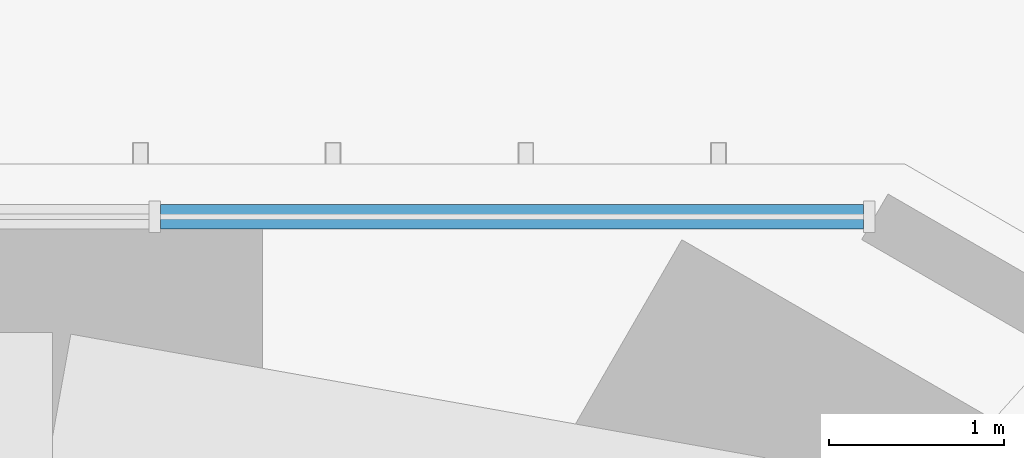
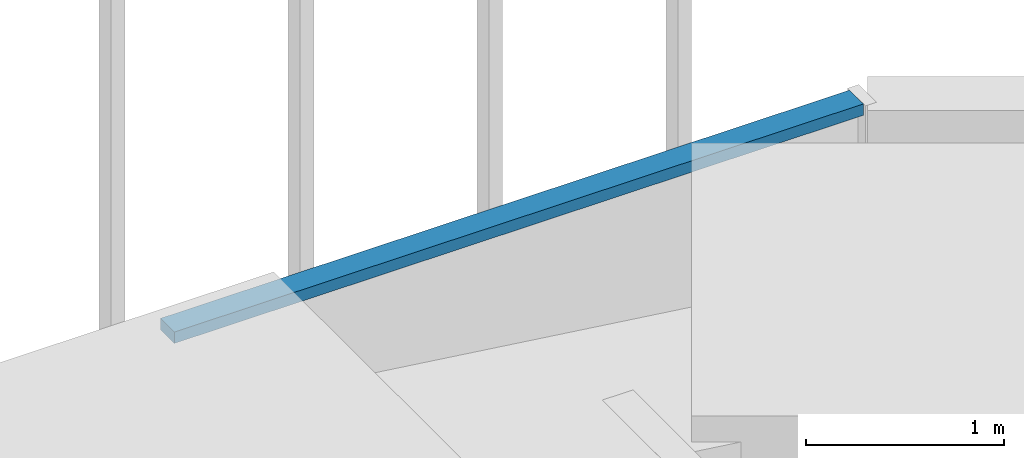
# One storey, part 217 of 238: 1 member, 1 element without a shape of its own.
"""IFC4 building model written with IfcOpenShell, lengths in metres."""

import ifcopenshell
import ifcopenshell.guid

model = None  # the IFC model being written
_history = None  # IfcOwnerHistory: only IFC2X3 demands one
_inside = {}  # id of a spatial element -> (the spatial element, [elements in it])
_under = {}  # id of a project, library or spatial element -> (it, [spatial elements below it])
_declared = {}  # id of a project -> (the project, [libraries it declares])
_typed = {}  # id of a type object -> (the type object, [elements of that type])
_made_of = {}  # id of a material, layer set ... -> (it, [elements and type objects made of it])


def new_model(schema):
    """Start an empty IFC model of exactly this schema.

    Asked for "IFC4X3", IfcOpenShell would pick the latest addendum, in which some entities
    have other attributes; the version numbers below select the first issue.
    IFC2X3 requires an IfcOwnerHistory on every rooted entity: one is made here for all.
    """
    global model, _history
    if schema == "IFC4X3":
        model = ifcopenshell.file(schema_version=(4, 3, 0, 0))
    else:
        model = ifcopenshell.file(schema=schema)
    _inside.clear()
    _under.clear()
    _declared.clear()
    _typed.clear()
    _made_of.clear()
    _history = None
    if model.schema == "IFC2X3":
        org = make("IfcOrganization", Name="unknown")
        user = make(
            "IfcPersonAndOrganization",
            ThePerson=make("IfcPerson", FamilyName="unknown"),
            TheOrganization=org,
        )
        app = make(
            "IfcApplication",
            ApplicationDeveloper=org,
            Version="unknown",
            ApplicationFullName="unknown",
            ApplicationIdentifier="unknown",
        )
        _history = make(
            "IfcOwnerHistory",
            OwningUser=user,
            OwningApplication=app,
            ChangeAction="ADDED",
            CreationDate=0,
        )
    return model


def make(cls, **values):
    """One entity of the class cls with the attributes given. An attribute that is None is left unset."""
    return model.create_entity(
        cls, **{name: value for name, value in values.items() if value is not None}
    )


def rooted(cls, **values):
    """An entity with a GlobalId (a new one), such as an element, a storey or a relation."""
    return make(cls, GlobalId=ifcopenshell.guid.new(), OwnerHistory=_history, **values)


def si_unit(unit_type, name, prefix=None):
    """IfcSIUnit, for example si_unit("LENGTHUNIT", "METRE", prefix="MILLI")."""
    return make("IfcSIUnit", UnitType=unit_type, Prefix=prefix, Name=name)


def assignment(units):
    """IfcUnitAssignment: the units of a project."""
    return None if units is None else make("IfcUnitAssignment", Units=units)


def point(xyz):
    """IfcCartesianPoint."""
    return None if xyz is None else make("IfcCartesianPoint", Coordinates=xyz)


def direction(xyz):
    """IfcDirection."""
    return None if xyz is None else make("IfcDirection", DirectionRatios=xyz)


def frame(location, z_axis=None, x_axis=None):
    """IfcAxis2Placement3D, a coordinate frame: its origin and axes. An axis left out is left unset."""
    return make(
        "IfcAxis2Placement3D",
        Location=point(location),
        Axis=direction(z_axis),
        RefDirection=direction(x_axis),
    )


def frame_2d(location, x_axis=None):
    """IfcAxis2Placement2D, a coordinate frame in the plane: its origin and x axis."""
    return make(
        "IfcAxis2Placement2D", Location=point(location), RefDirection=direction(x_axis)
    )


def origin():
    """The frame at (0, 0, 0) with its axes left unset."""
    return frame((0.0, 0.0, 0.0))


def origin_2d():
    """The frame at (0, 0) in the plane with its x axis left unset."""
    return frame_2d((0.0, 0.0))


def place(relative_to, where):
    """IfcLocalPlacement: puts the frame where relative to a parent placement (None: the world)."""
    return make(
        "IfcLocalPlacement", PlacementRelTo=relative_to, RelativePlacement=where
    )


def context(
    kind, dimensions, precision=None, world=None, true_north=None, identifier=None
):
    """IfcGeometricRepresentationContext, for example the 3D "Model" context."""
    return make(
        "IfcGeometricRepresentationContext",
        ContextIdentifier=identifier,
        ContextType=kind,
        CoordinateSpaceDimension=dimensions,
        Precision=precision,
        WorldCoordinateSystem=world,
        TrueNorth=true_north,
    )


def subcontext(parent, identifier, kind, view, scale=None):
    """IfcGeometricRepresentationSubContext, for example "Body" below "Model"."""
    return make(
        "IfcGeometricRepresentationSubContext",
        ContextIdentifier=identifier,
        ContextType=kind,
        ParentContext=parent,
        TargetScale=scale,
        TargetView=view,
    )


def project(units=None, contexts=None):
    """IfcProject with its units and contexts."""
    return rooted(
        "IfcProject",
        Name="project",
        RepresentationContexts=contexts,
        UnitsInContext=assignment(units),
    )


def spatial(cls, under=None, at=None, **own):
    """A site, building, storey or space (cls), placed at a placement, below another one or the project."""
    s = rooted(cls, ObjectPlacement=at, **own)
    if under is not None:
        _under.setdefault(under.id(), (under, []))[1].append(s)
    return s


def profile(cls, at=None, kind="AREA", **sizes):
    """A parametric profile (cls). Its sizes go by their IFC names, for example OverallWidth=200.0."""
    return make(cls, ProfileType=kind, Position=at, **sizes)


def rectangle(**sizes):
    """IfcRectangleProfileDef."""
    return profile("IfcRectangleProfileDef", **sizes)


def extrude(swept, where, along, depth):
    """IfcExtrudedAreaSolid: the profile swept, set in the frame where, extruded along a direction by depth."""
    return make(
        "IfcExtrudedAreaSolid",
        SweptArea=swept,
        Position=where,
        ExtrudedDirection=direction(along),
        Depth=depth,
    )


def shape(context_of_items, identifier, shape_type, items):
    """IfcShapeRepresentation: the items that make up one representation, for example the "Body"."""
    return make(
        "IfcShapeRepresentation",
        ContextOfItems=context_of_items,
        RepresentationIdentifier=identifier,
        RepresentationType=shape_type,
        Items=items,
    )


def material(Name=None, Category=None):
    """IfcMaterial."""
    return make("IfcMaterial", Name=Name, Category=Category)


def material_profile(
    of_material, cross_section, Name=None, Category=None, Priority=None
):
    """IfcMaterialProfile: a cross section and its material."""
    return make(
        "IfcMaterialProfile",
        Name=Name,
        Material=of_material,
        Profile=cross_section,
        Priority=Priority,
        Category=Category,
    )


def profile_set(profiles, Name=None, composite=None):
    """IfcMaterialProfileSet."""
    return make(
        "IfcMaterialProfileSet",
        Name=Name,
        MaterialProfiles=profiles,
        CompositeProfile=composite,
    )


def made_of(thing, what):
    """Note that an element or type object is made of a material, layer set ...; save() writes the relation."""
    if what is not None:
        _made_of.setdefault(what.id(), (what, []))[1].append(thing)
    return thing


def type_object(cls, material=None, **own):
    """A type object (cls), such as IfcWallType, which elements share."""
    return made_of(rooted(cls, **own), material)


def element(
    cls,
    number,
    at=None,
    inside=None,
    cuts=None,
    type_object=None,
    material=None,
    context=None,
    identifier="Body",
    shape_type=None,
    held_by="IfcProductDefinitionShape",
    body=None,
    shapes=None,
    **own,
):
    """One element of the class cls, such as IfcWall. Its Tag is "e" and its number.

    at: its placement. inside: the storey or other place that contains it. cuts: it is an
    opening in that element (IfcRelVoidsElement). A single representation is given by context,
    identifier, shape_type and body (its items); several are given by shapes. held_by: the class
    of the entity that holds the representations. save() writes the other relations.
    """
    e = rooted(cls, Tag="e%d" % number, ObjectPlacement=at, **own)
    if body is not None:
        shapes = [shape(context, identifier, shape_type, body)]
    if shapes is not None:
        e.Representation = make(held_by, Representations=shapes)
    if inside is not None:
        _inside.setdefault(inside.id(), (inside, []))[1].append(e)
    if cuts is not None:
        rooted(
            "IfcRelVoidsElement", RelatingBuildingElement=cuts, RelatedOpeningElement=e
        )
    if type_object is not None:
        _typed.setdefault(type_object.id(), (type_object, []))[1].append(e)
    return made_of(e, material)


def aggregate(whole, parts):
    """IfcRelAggregates: a whole, such as a stair, and the parts it consists of."""
    return rooted("IfcRelAggregates", RelatingObject=whole, RelatedObjects=parts)


def save(model, path):
    """Write the relations noted so far, then the file.

    IfcRelAggregates (storeys below a building ...), IfcRelContainedInSpatialStructure (elements
    in a storey), IfcRelDefinesByType, IfcRelAssociatesMaterial and IfcRelDeclares: one each for
    every whole, place, type object, material and project.
    """
    for whole, parts in _under.values():
        aggregate(whole, parts)
    for where, things in _inside.values():
        rooted(
            "IfcRelContainedInSpatialStructure",
            RelatedElements=things,
            RelatingStructure=where,
        )
    for kind, things in _typed.values():
        rooted("IfcRelDefinesByType", RelatedObjects=things, RelatingType=kind)
    for what, things in _made_of.values():
        rooted("IfcRelAssociatesMaterial", RelatedObjects=things, RelatingMaterial=what)
    for by, libraries in _declared.values():
        rooted("IfcRelDeclares", RelatingContext=by, RelatedDefinitions=libraries)
    model.write(path)


model = new_model("IFC4")

# Units and contexts
model_context = context("Model", 3, precision=1e-05, world=origin(), true_north=direction((0.0, 1.0)))
body_context = subcontext(model_context, "Body", "Model", "MODEL_VIEW")
ifc_project = project(units=[si_unit("LENGTHUNIT", "METRE"), si_unit("AREAUNIT", "SQUARE_METRE"), si_unit("VOLUMEUNIT", "CUBIC_METRE"), si_unit("PLANEANGLEUNIT", "RADIAN"), si_unit("MASSUNIT", "GRAM", prefix="KILO")], contexts=[model_context])

# Site, building, storey
site_placement = place(None, origin())
site = spatial("IfcSite", under=ifc_project, at=site_placement, CompositionType="ELEMENT")
building_placement = place(site_placement, origin())
building = spatial("IfcBuilding", under=site, at=building_placement, Name="Sandreach Pilgrim Tower", CompositionType="ELEMENT")
storey_placement = place(building_placement, frame((0.0, 0.0, 96.800048828125)))
storey = spatial("IfcBuildingStorey", under=building, at=storey_placement, Name="L23", CompositionType="ELEMENT", Elevation=96.800048828125)

# Curtain wall, member
ifc_material_1 = material(Name="Aluminium framed curtain wall", Category="aluminium")
curtain_wall_type = type_object("IfcCurtainWallType", Name="Hotel tower curtain wall", PredefinedType="NOTDEFINED", material=ifc_material_1)
curtain_wall_placement = place(storey_placement, origin())
curtain_wall = element("IfcCurtainWall", 1, at=curtain_wall_placement, inside=storey, type_object=curtain_wall_type, Name="CW-2 L23 N", PredefinedType="NOTDEFINED")
ifc_material_2 = material(Name="Aluminium extrusion", Category="aluminium")
ifc_material_profile = material_profile(ifc_material_2, rectangle(XDim=0.139892578125, YDim=0.070068359375, at=origin_2d()), Name="CW-2T 140X70")
ifc_profile_set = profile_set([ifc_material_profile], Name="Aluminium extrusion")
member_type = type_object("IfcMemberType", Name="CW-2 transom", PredefinedType="USERDEFINED", material=ifc_profile_set)
member_placement = place(storey_placement, frame((14.406982421875, 22.493896484375, 3.60498046875), z_axis=(1.0, 0.0, 0.0), x_axis=(0.0, 1.0, 0.0)))
member = element("IfcMember", 2, at=member_placement, type_object=member_type, Name="CW-2 head transom 9", ObjectType="TRANSOM", PredefinedType="USERDEFINED", context=body_context, shape_type="SweptSolid", body=[
    extrude(rectangle(XDim=0.139892578125, YDim=0.070068359375, at=origin_2d()), origin(), (0.0, 0.0, 1.0), 4.00927734375),
])
aggregate(curtain_wall, [member])

save(model, "model.ifc")
